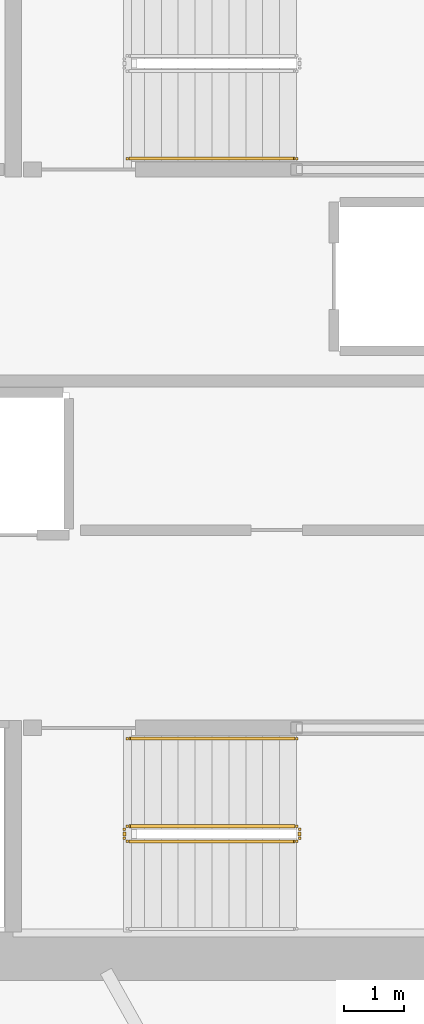
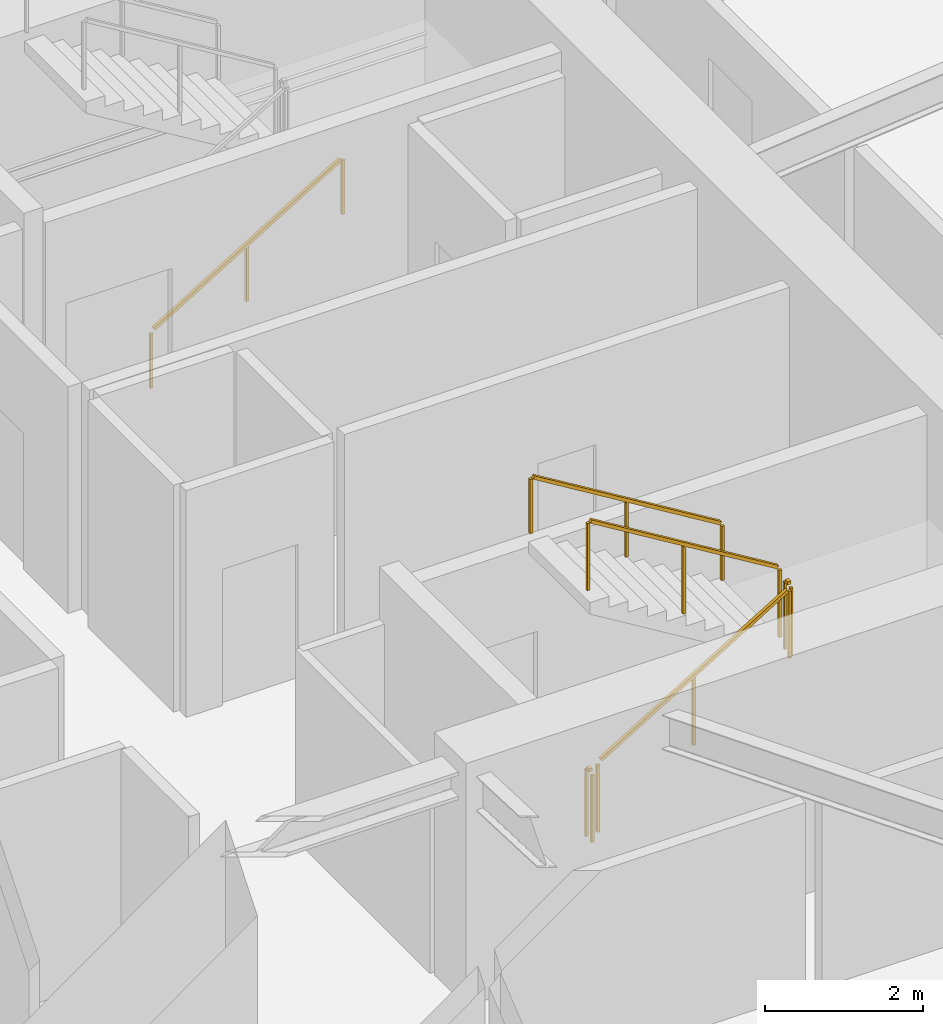
# One storey, part 20 of 23: 6 railings.
"""IFC4 building model written with IfcOpenShell, lengths in metres."""

from ifc_helpers import new_model, si_unit, direction, frame, origin, origin_2d, place, context, subcontext, project, spatial, rectangle, extrude, material, type_object, element, save


model = new_model("IFC4")

# Units and contexts
model_context = context("Model", 3, precision=1e-05, world=origin(), true_north=direction((0.0, 1.0)))
body_context = subcontext(model_context, "Body", "Model", "MODEL_VIEW")
ifc_project = project(units=[si_unit("LENGTHUNIT", "METRE"), si_unit("AREAUNIT", "SQUARE_METRE"), si_unit("VOLUMEUNIT", "CUBIC_METRE"), si_unit("PLANEANGLEUNIT", "RADIAN"), si_unit("MASSUNIT", "GRAM", prefix="KILO")], contexts=[model_context])

# Site, building, storey
site_placement = place(None, origin())
site = spatial("IfcSite", under=ifc_project, at=site_placement, CompositionType="ELEMENT")
building_placement = place(site_placement, origin())
building = spatial("IfcBuilding", under=site, at=building_placement, Name="Kazma Halo Residences", CompositionType="ELEMENT")
storey_placement = place(building_placement, frame((0.0, 0.0, 78.89990234375)))
storey = spatial("IfcBuildingStorey", under=building, at=storey_placement, Name="L19", CompositionType="ELEMENT", Elevation=78.89990234375)

# Railings
ifc_material_1 = material(Name="Painted Steel S355", Category="steel")
railing_type_1 = type_object("IfcRailingType", Name="RLG-STAIR-GRD-1100", PredefinedType="GUARDRAIL", material=ifc_material_1)
railing_1_placement = place(storey_placement, frame((53.199951171875, 35.5, 0.170654296875)))
element("IfcRailing", 1, at=railing_1_placement, inside=storey, type_object=railing_type_1, Name="L19 ST-03 stair guard 1", PredefinedType="GUARDRAIL", context=body_context, shape_type="SweptSolid", body=[
    extrude(rectangle(XDim=0.050048828125, YDim=0.050048828125, at=origin_2d()), frame((0.036376953125, 0.0, 1.09716796875), z_axis=(0.854202870247, 0.0, 0.519939858505), x_axis=(0.0, 1.0, 0.0)), (0.0, 0.0, 1.0), 3.19287109375),
    extrude(rectangle(XDim=0.0400390625, YDim=0.0400390625, at=origin_2d()), origin(), (0.0, 0.0, 1.0), 1.0380859375),
    extrude(rectangle(XDim=0.0400390625, YDim=0.0400390625, at=origin_2d()), frame((1.39990234375, 0.0, 0.85205078125)), (0.0, 0.0, 1.0), 1.0380859375),
    extrude(rectangle(XDim=0.0400390625, YDim=0.0400390625, at=origin_2d()), frame((2.800048828125, 0.0, 1.704345703125)), (0.0, 0.0, 1.0), 1.0380859375),
])
railing_2_placement = place(storey_placement, frame((56.050048828125, 35.550048828125, 1.875)))
element("IfcRailing", 2, at=railing_2_placement, inside=storey, type_object=railing_type_1, Name="L19 ST-03 stair guard 2", PredefinedType="GUARDRAIL", context=body_context, shape_type="SweptSolid", body=[
    extrude(rectangle(XDim=0.050048828125, YDim=0.050048828125, at=origin_2d()), frame((0.0, 0.04248046875, 1.0751953125), z_axis=(0.0, 1.0, 0.0), x_axis=(-1.0, 0.0, 0.0)), (0.0, 0.0, 1.0), 0.06494140625),
    extrude(rectangle(XDim=0.0400390625, YDim=0.0400390625, at=origin_2d()), origin(), (0.0, 0.0, 1.0), 1.0380859375),
    extrude(rectangle(XDim=0.0400390625, YDim=0.0400390625, at=origin_2d()), frame((0.0, 0.14990234375, 0.0)), (0.0, 0.0, 1.0), 1.0380859375),
])
railing_3_placement = place(storey_placement, frame((56.0, 35.75, 2.045654296875)))
element("IfcRailing", 3, at=railing_3_placement, inside=storey, type_object=railing_type_1, Name="L19 ST-03 stair guard 3", PredefinedType="GUARDRAIL", context=body_context, shape_type="SweptSolid", body=[
    extrude(rectangle(XDim=0.050048828125, YDim=0.050048828125, at=origin_2d()), frame((-0.036376953125, 0.0, 1.09716796875), z_axis=(-0.854202870247, 0.0, 0.519939858505), x_axis=(0.0, -1.0, 0.0)), (0.0, 0.0, 1.0), 3.19287109375),
    extrude(rectangle(XDim=0.0400390625, YDim=0.0400390625, at=origin_2d()), origin(), (0.0, 0.0, 1.0), 1.0380859375),
    extrude(rectangle(XDim=0.0400390625, YDim=0.0400390625, at=origin_2d()), frame((-1.39990234375, 0.0, 0.85205078125)), (0.0, 0.0, 1.0), 1.0380859375),
    extrude(rectangle(XDim=0.0400390625, YDim=0.0400390625, at=origin_2d()), frame((-2.800048828125, 0.0, 1.704345703125)), (0.0, 0.0, 1.0), 1.0380859375),
])
railing_4_placement = place(storey_placement, frame((53.14990234375, 35.550048828125, 0.0)))
element("IfcRailing", 4, at=railing_4_placement, inside=storey, type_object=railing_type_1, Name="L19 ST-03 stair guard 4", PredefinedType="GUARDRAIL", context=body_context, shape_type="SweptSolid", body=[
    extrude(rectangle(XDim=0.050048828125, YDim=0.050048828125, at=origin_2d()), frame((0.0, 0.04248046875, 1.0751953125), z_axis=(0.0, 1.0, 0.0), x_axis=(-1.0, 0.0, 0.0)), (0.0, 0.0, 1.0), 0.06494140625),
    extrude(rectangle(XDim=0.0400390625, YDim=0.0400390625, at=origin_2d()), origin(), (0.0, 0.0, 1.0), 1.0380859375),
    extrude(rectangle(XDim=0.0400390625, YDim=0.0400390625, at=origin_2d()), frame((0.0, 0.14990234375, 0.0)), (0.0, 0.0, 1.0), 1.0380859375),
])
ifc_material_2 = material(Name="Brushed Stainless Steel", Category="steel")
railing_type_2 = type_object("IfcRailingType", Name="RLG-STAIR-HND-900", PredefinedType="HANDRAIL", material=ifc_material_2)
railing_5_placement = place(storey_placement, frame((53.199951171875, 46.800048828125, 0.170654296875)))
element("IfcRailing", 5, at=railing_5_placement, inside=storey, type_object=railing_type_2, Name="L19 ST-02 stair handrail 1", PredefinedType="HANDRAIL", context=body_context, shape_type="SweptSolid", body=[
    extrude(rectangle(XDim=0.050048828125, YDim=0.050048828125, at=origin_2d()), frame((0.036376953125, 0.0, 0.89697265625), z_axis=(0.854202870247, 0.0, 0.519939858505), x_axis=(0.0, 1.0, 0.0)), (0.0, 0.0, 1.0), 3.19287109375),
    extrude(rectangle(XDim=0.0400390625, YDim=0.0400390625, at=origin_2d()), origin(), (0.0, 0.0, 1.0), 0.837890625),
    extrude(rectangle(XDim=0.0400390625, YDim=0.0400390625, at=origin_2d()), frame((1.39990234375, 0.0, 0.85205078125)), (0.0, 0.0, 1.0), 0.837890625),
    extrude(rectangle(XDim=0.0400390625, YDim=0.0400390625, at=origin_2d()), frame((2.800048828125, 0.0, 1.704345703125)), (0.0, 0.0, 1.0), 0.837890625),
])
railing_6_placement = place(storey_placement, frame((56.0, 37.199951171875, 2.045654296875)))
element("IfcRailing", 6, at=railing_6_placement, inside=storey, type_object=railing_type_2, Name="L19 ST-03 stair handrail 2", PredefinedType="HANDRAIL", context=body_context, shape_type="SweptSolid", body=[
    extrude(rectangle(XDim=0.050048828125, YDim=0.050048828125, at=origin_2d()), frame((-0.036376953125, 0.0, 0.89697265625), z_axis=(-0.854202870247, 0.0, 0.519939858505), x_axis=(0.0, -1.0, 0.0)), (0.0, 0.0, 1.0), 3.19287109375),
    extrude(rectangle(XDim=0.0400390625, YDim=0.0400390625, at=origin_2d()), origin(), (0.0, 0.0, 1.0), 0.837890625),
    extrude(rectangle(XDim=0.0400390625, YDim=0.0400390625, at=origin_2d()), frame((-1.39990234375, 0.0, 0.85205078125)), (0.0, 0.0, 1.0), 0.837890625),
    extrude(rectangle(XDim=0.0400390625, YDim=0.0400390625, at=origin_2d()), frame((-2.800048828125, 0.0, 1.704345703125)), (0.0, 0.0, 1.0), 0.837890625),
])

save(model, "model.ifc")
